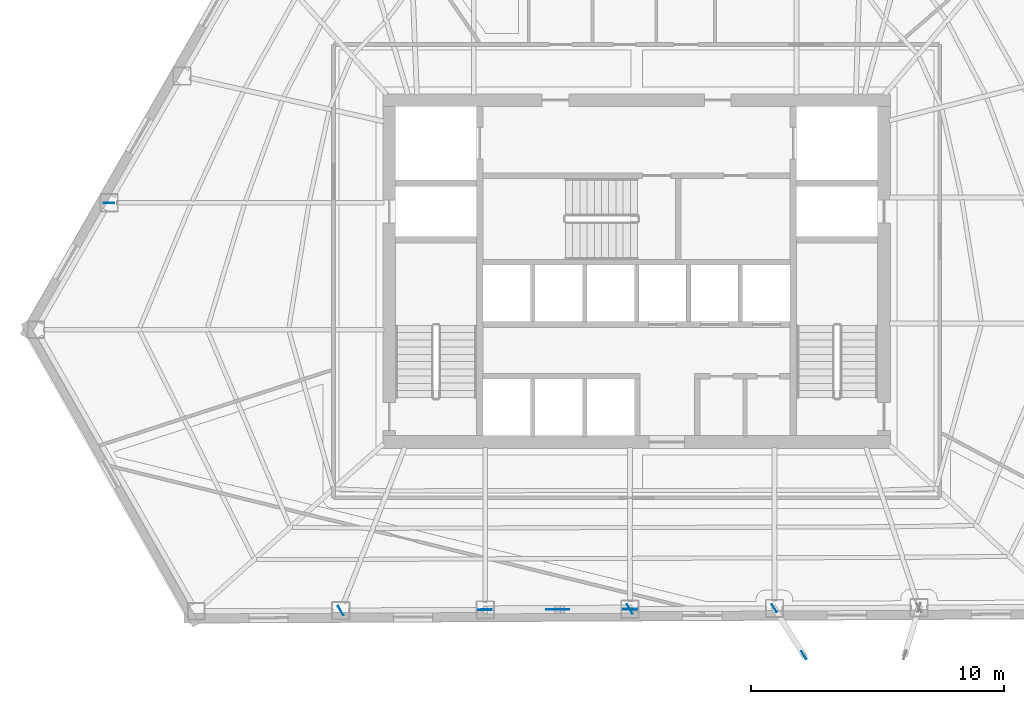
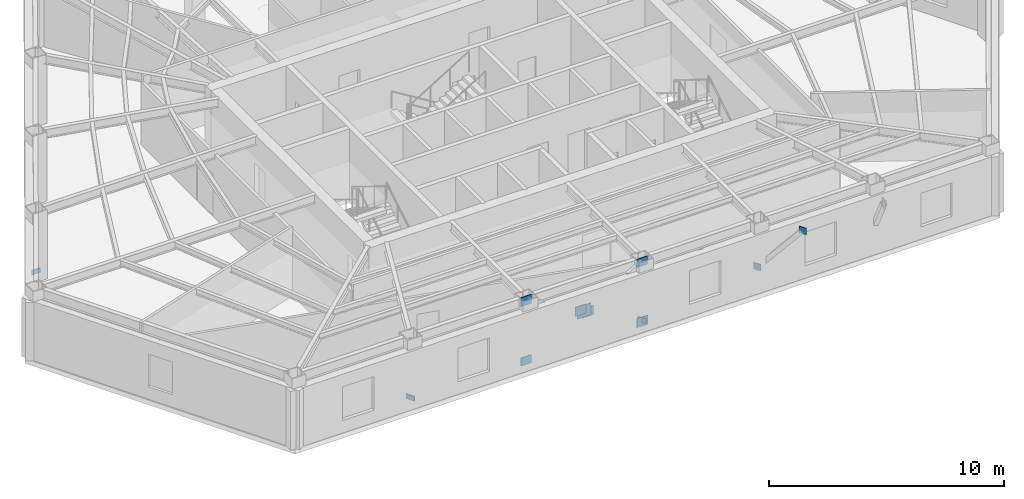
# One storey, part 4 of 13: 12 plates.
"""IFC4 building model written with IfcOpenShell, lengths in metres."""

from ifc_helpers import new_model, si_unit, direction, frame, origin, origin_2d, place, context, subcontext, project, spatial, rectangle, extrude, material, layer, layer_set, type_object, element, save


model = new_model("IFC4")

# Units and contexts
model_context = context("Model", 3, precision=1e-05, world=origin(), true_north=direction((0.0, 1.0)))
body_context = subcontext(model_context, "Body", "Model", "MODEL_VIEW")
ifc_project = project(units=[si_unit("LENGTHUNIT", "METRE"), si_unit("AREAUNIT", "SQUARE_METRE"), si_unit("VOLUMEUNIT", "CUBIC_METRE"), si_unit("PLANEANGLEUNIT", "RADIAN"), si_unit("MASSUNIT", "GRAM", prefix="KILO")], contexts=[model_context])

# Site, building, storey
site_placement = place(None, origin())
site = spatial("IfcSite", under=ifc_project, at=site_placement, CompositionType="ELEMENT")
building_placement = place(site_placement, origin())
building = spatial("IfcBuilding", under=site, at=building_placement, Name="Kavelnor Concourse Tower", CompositionType="ELEMENT")
storey_placement = place(building_placement, frame((0.0, 0.0, 85.5)))
storey = spatial("IfcBuildingStorey", under=building, at=storey_placement, Name="L21", CompositionType="ELEMENT", Elevation=85.5)

# Plates
ifc_material = material(Name="Steel Grade 350", Category="steel")
ifc_layer_1 = layer(ifc_material, 0.028076171875, Name="Steel Grade 350")
ifc_layer_set_1 = layer_set([ifc_layer_1], Name="Steel Grade 350")
plate_type_1 = type_object("IfcPlateType", Name="PL-GUSSET-FOLD", PredefinedType="USERDEFINED", material=ifc_layer_set_1)
for number, where, z_axis, x_axis, name in (
    (1, (43.437744140625, 2.787841796875, 0.8798828125), (0.0, 0.0, 1.0), (0.53243313734, -0.846472063486, 0.0), "L21 Balcony Strut Gusset GP4 1-A End Gusset A"),
    (2, (44.604736328125, 0.932373046875, 3.48486328125), (0.0, 0.0, 1.0), (0.53243313734, -0.846472063486, 0.0), "L21 Balcony Strut Gusset GP4 1-A End Gusset B"),
):
    element("IfcPlate", number, at=place(storey_placement, frame(where, z_axis=z_axis, x_axis=x_axis)), inside=storey, type_object=plate_type_1, Name=name, ObjectType="GUSSET_PLATE", PredefinedType="USERDEFINED", context=body_context, shape_type="SweptSolid", body=[
        extrude(rectangle(XDim=0.360107421875, YDim=0.028076171875, at=origin_2d()), origin(), (0.0, 0.0, 1.0), 0.340087890625),
    ])
ifc_layer_2 = layer(ifc_material, 0.031982421875, Name="Steel Grade 350")
ifc_layer_set_2 = layer_set([ifc_layer_2], Name="Steel Grade 350")
plate_type_2 = type_object("IfcPlateType", Name="PL-GUSSET-TUBE-Z1", PredefinedType="USERDEFINED", material=ifc_layer_set_2)
for number, where, z_axis, x_axis, name in (
    (3, (32.01416015625, 2.720703125, 0.010009765625), (0.0, 0.0, 1.0), (0.999987190865, 0.00506143322, 0.0), "L21 Tube Brace Gusset GP3 F1-B2 End Gusset A"),
    (4, (37.747314453125, 2.749267578125, 3.12353515625), (0.0, 0.0, 1.0), (0.999987190865, 0.00506143322, 0.0), "L21 Tube Brace Gusset GP3 F1-B2 End Gusset B"),
):
    element("IfcPlate", number, at=place(storey_placement, frame(where, z_axis=z_axis, x_axis=x_axis)), inside=storey, type_object=plate_type_2, Name=name, ObjectType="GUSSET_PLATE", PredefinedType="USERDEFINED", context=body_context, shape_type="SweptSolid", body=[
        extrude(rectangle(XDim=0.52001953125, YDim=0.031982421875, at=origin_2d()), origin(), (0.0, 0.0, 1.0), 0.419921875),
    ])
for number, where, z_axis, x_axis, name in (
    (5, (37.747314453125, 2.749267578125, -0.02001953125), (0.0, 0.0, 1.0), (-0.999987190865, -0.00506143322, 0.0), "L21 X-Brace Lower Gusset F1-B2 End Gusset A"),
    (6, (35.061767578125, 2.73583984375, 1.431396484375), (0.0, 0.0, 1.0), (-0.999987190865, -0.00506143322, 0.0), "L21 X-Brace Lower Gusset F1-B2 End Gusset B"),
    (7, (34.69970703125, 2.73388671875, 1.64208984375), (0.0, 0.0, 1.0), (-0.999988059021, -0.004886902454, 0.0), "L21 X-Brace Upper Gusset F1-B2 End Gusset A"),
    (8, (32.01416015625, 2.720703125, 3.093505859375), (0.0, 0.0, 1.0), (-0.999988059021, -0.004886902454, 0.0), "L21 X-Brace Upper Gusset F1-B2 End Gusset B"),
):
    element("IfcPlate", number, at=place(storey_placement, frame(where, z_axis=z_axis, x_axis=x_axis)), inside=storey, type_object=plate_type_2, Name=name, ObjectType="GUSSET_PLATE", PredefinedType="USERDEFINED", context=body_context, shape_type="SweptSolid", body=[
        extrude(rectangle(XDim=0.5400390625, YDim=0.031982421875, at=origin_2d()), origin(), (0.0, 0.0, 1.0), 0.47998046875),
    ])
plate_placement = place(storey_placement, frame((34.880615234375, 2.73486328125, 1.466552734375), z_axis=(0.0, 0.0, 1.0), x_axis=(-0.999987190865, -0.00506143322, 0.0)))
element("IfcPlate", 9, at=plate_placement, inside=storey, type_object=plate_type_2, Name="L21 Tube X-Brace Central Crossing Gusset GP3 F1-B2", ObjectType="GUSSET_PLATE", PredefinedType="USERDEFINED", context=body_context, shape_type="SweptSolid", body=[
    extrude(rectangle(XDim=0.679931640625, YDim=0.031982421875, at=origin_2d()), origin(), (0.0, 0.0, 1.0), 0.6201171875),
])
ifc_layer_3 = layer(ifc_material, 0.02490234375, Name="Steel Grade 350")
ifc_layer_set_3 = layer_set([ifc_layer_3], Name="Steel Grade 350")
plate_type_3 = type_object("IfcPlateType", Name="PL-SPLICE-FLANGE", PredefinedType="SHEET", material=ifc_layer_set_3)
for number, where, z_axis, x_axis, name in (
    (10, (17.16748046875, 18.794921875, 0.169921875), (0.0, 0.0, 1.0), (1.0, 0.0, 0.0), "L21 Column Flange Splice Plate F0-B5"),
    (11, (26.31689453125, 2.6923828125, 0.169921875), (0.0, 0.0, 1.0), (-0.5, 0.866025403784, 0.0), "L21 Column Flange Splice Plate F1-B1"),
    (12, (37.735107421875, 2.749267578125, 0.169921875), (0.0, 0.0, 1.0), (-0.5, 0.866025403784, 0.0), "L21 Column Flange Splice Plate F1-B3"),
):
    element("IfcPlate", number, at=place(storey_placement, frame(where, z_axis=z_axis, x_axis=x_axis)), inside=storey, type_object=plate_type_3, Name=name, PredefinedType="SHEET", context=body_context, shape_type="SweptSolid", body=[
        extrude(rectangle(XDim=0.419921875, YDim=0.02490234375, at=origin_2d()), origin(), (0.0, 0.0, 1.0), 0.260009765625),
    ])

save(model, "model.ifc")
